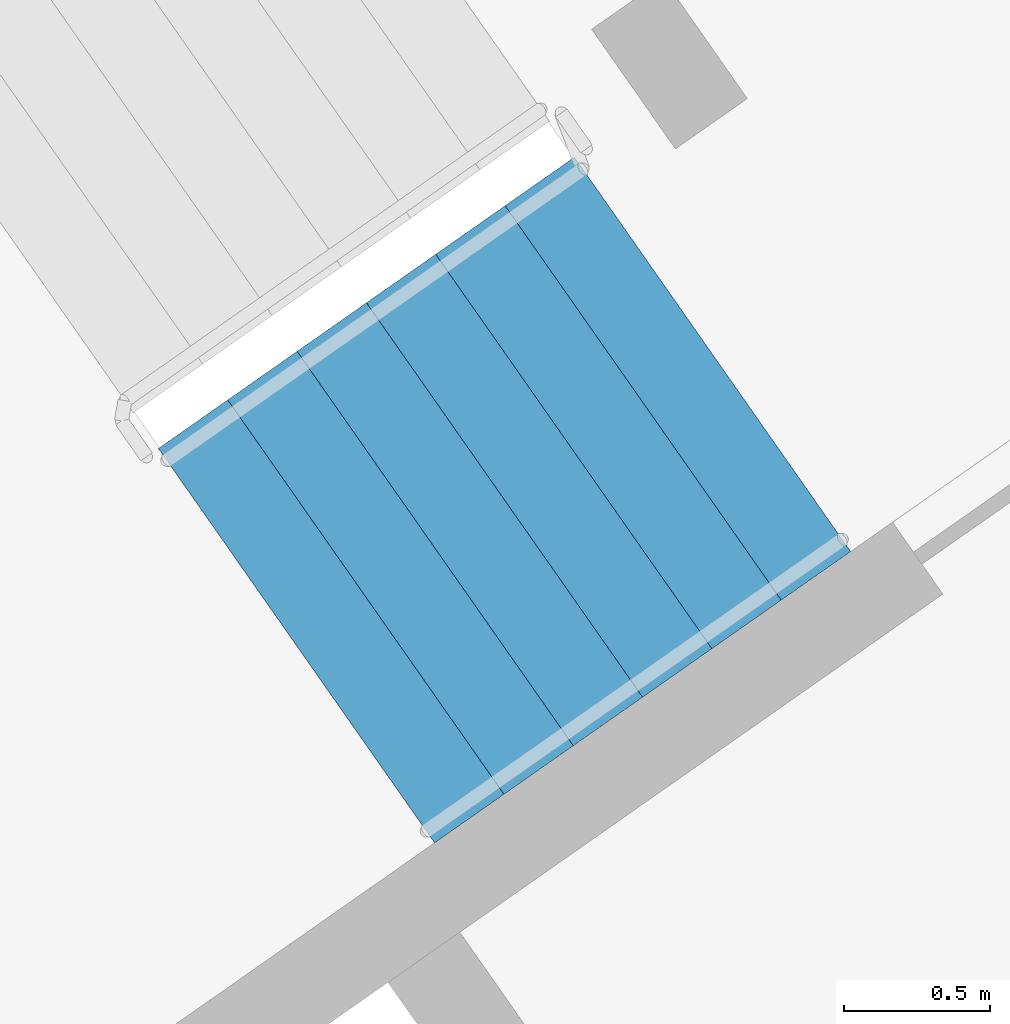
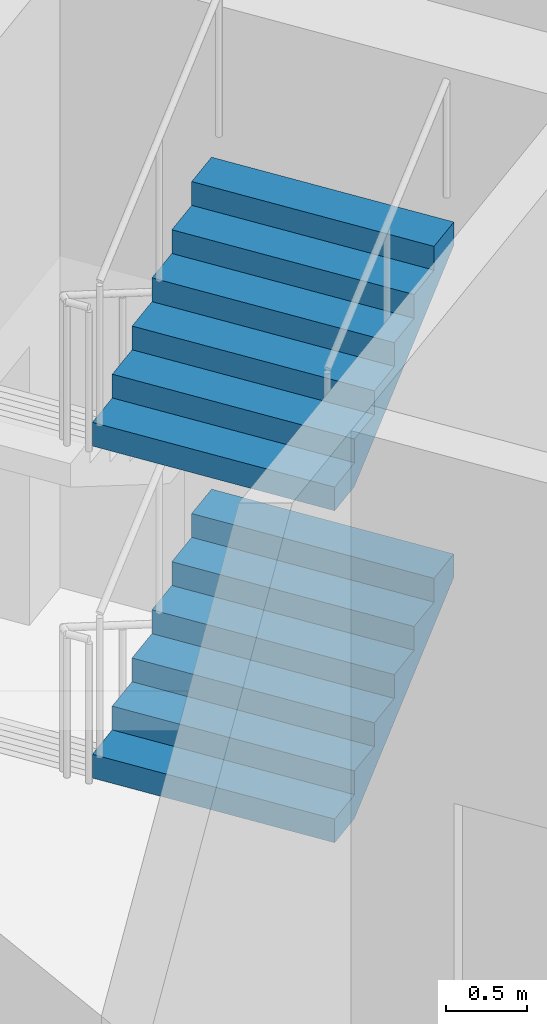
# One storey, part 17 of 24: 2 stair flights, 1 element without a shape of its own.
"""IFC4 building model written with IfcOpenShell, lengths in metres."""

from ifc_helpers import new_model, si_unit, direction, frame, origin, place, context, subcontext, project, spatial, faceted_brep, material, type_object, element, aggregate, save


model = new_model("IFC4")

# Units and contexts
model_context = context("Model", 3, precision=1e-05, world=origin(), true_north=direction((0.0, 1.0)))
body_context = subcontext(model_context, "Body", "Model", "MODEL_VIEW")
ifc_project = project(units=[si_unit("LENGTHUNIT", "METRE"), si_unit("AREAUNIT", "SQUARE_METRE"), si_unit("VOLUMEUNIT", "CUBIC_METRE"), si_unit("PLANEANGLEUNIT", "RADIAN"), si_unit("MASSUNIT", "GRAM", prefix="KILO")], contexts=[model_context])

# Site, building, storey
site_placement = place(None, origin())
site = spatial("IfcSite", under=ifc_project, at=site_placement, CompositionType="ELEMENT")
building_placement = place(site_placement, origin())
building = spatial("IfcBuilding", under=site, at=building_placement, Name="Qamariyya Broadcast Tower", CompositionType="ELEMENT")
storey_placement = place(building_placement, frame((0.0, 0.0, 253.10009765625)))
storey = spatial("IfcBuildingStorey", under=building, at=storey_placement, Name="L61", CompositionType="ELEMENT", Elevation=253.10009765625)

# Stair, stair flights
ifc_material = material(Name="Concrete C50/60", Category="concrete")
stair_type = type_object("IfcStairType", Name="Exit stair 28 risers of 179 mm", PredefinedType="HALF_TURN_STAIR", material=ifc_material)
stair_placement = place(storey_placement, origin())
stair = element("IfcStair", 1, at=stair_placement, inside=storey, type_object=stair_type, Name="L61 Stair E2", PredefinedType="HALF_TURN_STAIR")
stair_flight_type = type_object("IfcStairFlightType", Name="Exit stair flight 7 risers of 179 mm", PredefinedType="STRAIGHT", material=ifc_material)
stair_flight_1_placement = place(storey_placement, frame((40.165771484375, -50.15771484375, 1.25), z_axis=(0.0, 0.0, 1.0), x_axis=(0.819152044289, 0.573576436351, 0.0)))
stair_flight_1 = element("IfcStairFlight", 2, at=stair_flight_1_placement, type_object=stair_flight_type, Name="ST-E2 flight 2", NumberOfRisers=7, NumberOfTreads=6, PredefinedType="STRAIGHT", RiserHeight=0.178571429, TreadLength=0.29, context=body_context, shape_type="Brep", body=[
    faceted_brep([(0.0, 0.824951171875, 0.0), (0.0, 0.824951171875, 0.178466796875), (0.2900390625, 0.824951171875, 0.178466796875), (0.2900390625, 0.824951171875, 0.357177734375), (0.580078125, 0.824951171875, 0.357177734375), (0.580078125, 0.824951171875, 0.53564453125), (0.8701171875, 0.824951171875, 0.53564453125), (0.8701171875, 0.824951171875, 0.71435546875), (1.159912109375, 0.824951171875, 0.71435546875), (1.159912109375, 0.824951171875, 0.892822265625), (1.449951171875, 0.824951171875, 0.892822265625), (1.449951171875, 0.824951171875, 1.071533203125), (1.739990234375, 0.824951171875, 1.071533203125), (1.739990234375, 0.824951171875, 0.8955078125), (0.285888671875, 0.824951171875, 0.0), (0.285888671875, -0.824951171875, 0.0), (1.739990234375, -0.824951171875, 0.8955078125), (1.739990234375, -0.824951171875, 1.071533203125), (1.449951171875, -0.824951171875, 1.071533203125), (1.449951171875, -0.824951171875, 0.892822265625), (1.159912109375, -0.824951171875, 0.892822265625), (1.159912109375, -0.824951171875, 0.71435546875), (0.8701171875, -0.824951171875, 0.71435546875), (0.8701171875, -0.824951171875, 0.53564453125), (0.580078125, -0.824951171875, 0.53564453125), (0.580078125, -0.824951171875, 0.357177734375), (0.2900390625, -0.824951171875, 0.357177734375), (0.2900390625, -0.824951171875, 0.178466796875), (0.0, -0.824951171875, 0.178466796875), (0.0, -0.824951171875, 0.0), (0.0, 0.10009765625, 0.0), (0.0, 0.086669921875, 0.0), (0.0, 0.0732421875, 0.0), (0.0, 0.06005859375, 0.0), (0.0, 0.046630859375, 0.0), (0.0, 0.033447265625, 0.0), (0.0, 0.02001953125, 0.0), (0.0, 0.006591796875, 0.0), (0.0, -0.006591796875, 0.0), (0.0, -0.02001953125, 0.0), (0.0, -0.033447265625, 0.0), (0.0, -0.046630859375, 0.0), (0.0, -0.06005859375, 0.0), (0.0, -0.0732421875, 0.0), (0.0, -0.086669921875, 0.0), (0.0, -0.10009765625, 0.0), (0.0, -0.10009765625, 0.178466796875), (0.0, -0.086669921875, 0.178466796875), (0.0, -0.0732421875, 0.178466796875), (0.0, -0.06005859375, 0.178466796875), (0.0, -0.046630859375, 0.178466796875), (0.0, -0.033447265625, 0.178466796875), (0.0, -0.02001953125, 0.178466796875), (0.0, -0.006591796875, 0.178466796875), (0.0, 0.006591796875, 0.178466796875), (0.0, 0.02001953125, 0.178466796875), (0.0, 0.033447265625, 0.178466796875), (0.0, 0.046630859375, 0.178466796875), (0.0, 0.06005859375, 0.178466796875), (0.0, 0.0732421875, 0.178466796875), (0.0, 0.086669921875, 0.178466796875), (0.0, 0.10009765625, 0.178466796875), (0.2900390625, -0.10009765625, 0.178466796875), (0.2900390625, -0.086669921875, 0.178466796875), (0.2900390625, -0.0732421875, 0.178466796875), (0.2900390625, -0.06005859375, 0.178466796875), (0.2900390625, -0.046630859375, 0.178466796875), (0.2900390625, -0.033447265625, 0.178466796875), (0.2900390625, -0.02001953125, 0.178466796875), (0.2900390625, -0.006591796875, 0.178466796875), (0.2900390625, 0.006591796875, 0.178466796875), (0.2900390625, 0.02001953125, 0.178466796875), (0.2900390625, 0.033447265625, 0.178466796875), (0.2900390625, 0.046630859375, 0.178466796875), (0.2900390625, 0.06005859375, 0.178466796875), (0.2900390625, 0.0732421875, 0.178466796875), (0.2900390625, 0.086669921875, 0.178466796875), (0.2900390625, 0.10009765625, 0.178466796875), (0.2900390625, -0.10009765625, 0.357177734375), (0.2900390625, -0.086669921875, 0.357177734375), (0.2900390625, -0.0732421875, 0.357177734375), (0.2900390625, -0.06005859375, 0.357177734375), (0.2900390625, -0.046630859375, 0.357177734375), (0.2900390625, -0.033447265625, 0.357177734375), (0.2900390625, -0.02001953125, 0.357177734375), (0.2900390625, -0.006591796875, 0.357177734375), (0.2900390625, 0.006591796875, 0.357177734375), (0.2900390625, 0.02001953125, 0.357177734375), (0.2900390625, 0.033447265625, 0.357177734375), (0.2900390625, 0.046630859375, 0.357177734375), (0.2900390625, 0.06005859375, 0.357177734375), (0.2900390625, 0.0732421875, 0.357177734375), (0.2900390625, 0.086669921875, 0.357177734375), (0.2900390625, 0.10009765625, 0.357177734375), (0.580078125, -0.10009765625, 0.357177734375), (0.580078125, -0.086669921875, 0.357177734375), (0.580078125, -0.0732421875, 0.357177734375), (0.580078125, -0.06005859375, 0.357177734375), (0.580078125, -0.046630859375, 0.357177734375), (0.580078125, -0.033447265625, 0.357177734375), (0.580078125, -0.02001953125, 0.357177734375), (0.580078125, -0.006591796875, 0.357177734375), (0.580078125, 0.006591796875, 0.357177734375), (0.580078125, 0.02001953125, 0.357177734375), (0.580078125, 0.033447265625, 0.357177734375), (0.580078125, 0.046630859375, 0.357177734375), (0.580078125, 0.06005859375, 0.357177734375), (0.580078125, 0.0732421875, 0.357177734375), (0.580078125, 0.086669921875, 0.357177734375), (0.580078125, 0.10009765625, 0.357177734375), (0.580078125, -0.10009765625, 0.53564453125), (0.580078125, -0.086669921875, 0.53564453125), (0.580078125, -0.0732421875, 0.53564453125), (0.580078125, -0.06005859375, 0.53564453125), (0.580078125, -0.046630859375, 0.53564453125), (0.580078125, -0.033447265625, 0.53564453125), (0.580078125, -0.02001953125, 0.53564453125), (0.580078125, -0.006591796875, 0.53564453125), (0.580078125, 0.006591796875, 0.53564453125), (0.580078125, 0.02001953125, 0.53564453125), (0.580078125, 0.033447265625, 0.53564453125), (0.580078125, 0.046630859375, 0.53564453125), (0.580078125, 0.06005859375, 0.53564453125), (0.580078125, 0.0732421875, 0.53564453125), (0.580078125, 0.086669921875, 0.53564453125), (0.580078125, 0.10009765625, 0.53564453125), (0.8701171875, -0.10009765625, 0.53564453125), (0.8701171875, -0.086669921875, 0.53564453125), (0.8701171875, -0.0732421875, 0.53564453125), (0.8701171875, -0.06005859375, 0.53564453125), (0.8701171875, -0.046630859375, 0.53564453125), (0.8701171875, -0.033447265625, 0.53564453125), (0.8701171875, -0.02001953125, 0.53564453125), (0.8701171875, -0.006591796875, 0.53564453125), (0.8701171875, 0.006591796875, 0.53564453125), (0.8701171875, 0.02001953125, 0.53564453125), (0.8701171875, 0.033447265625, 0.53564453125), (0.8701171875, 0.046630859375, 0.53564453125), (0.8701171875, 0.06005859375, 0.53564453125), (0.8701171875, 0.0732421875, 0.53564453125), (0.8701171875, 0.086669921875, 0.53564453125), (0.8701171875, 0.10009765625, 0.53564453125), (0.8701171875, -0.10009765625, 0.71435546875), (0.8701171875, -0.086669921875, 0.71435546875), (0.8701171875, -0.0732421875, 0.71435546875), (0.8701171875, -0.06005859375, 0.71435546875), (0.8701171875, -0.046630859375, 0.71435546875), (0.8701171875, -0.033447265625, 0.71435546875), (0.8701171875, -0.02001953125, 0.71435546875), (0.8701171875, -0.006591796875, 0.71435546875), (0.8701171875, 0.006591796875, 0.71435546875), (0.8701171875, 0.02001953125, 0.71435546875), (0.8701171875, 0.033447265625, 0.71435546875), (0.8701171875, 0.046630859375, 0.71435546875), (0.8701171875, 0.06005859375, 0.71435546875), (0.8701171875, 0.0732421875, 0.71435546875), (0.8701171875, 0.086669921875, 0.71435546875), (0.8701171875, 0.10009765625, 0.71435546875), (1.159912109375, -0.10009765625, 0.71435546875), (1.159912109375, -0.086669921875, 0.71435546875), (1.159912109375, -0.0732421875, 0.71435546875), (1.159912109375, -0.06005859375, 0.71435546875), (1.159912109375, -0.046630859375, 0.71435546875), (1.159912109375, -0.033447265625, 0.71435546875), (1.159912109375, -0.02001953125, 0.71435546875), (1.159912109375, -0.006591796875, 0.71435546875), (1.159912109375, 0.006591796875, 0.71435546875), (1.159912109375, 0.02001953125, 0.71435546875), (1.159912109375, 0.033447265625, 0.71435546875), (1.159912109375, 0.046630859375, 0.71435546875), (1.159912109375, 0.06005859375, 0.71435546875), (1.159912109375, 0.0732421875, 0.71435546875), (1.159912109375, 0.086669921875, 0.71435546875), (1.159912109375, 0.10009765625, 0.71435546875), (1.159912109375, -0.10009765625, 0.892822265625), (1.159912109375, -0.086669921875, 0.892822265625), (1.159912109375, -0.0732421875, 0.892822265625), (1.159912109375, -0.06005859375, 0.892822265625), (1.159912109375, -0.046630859375, 0.892822265625), (1.159912109375, -0.033447265625, 0.892822265625), (1.159912109375, -0.02001953125, 0.892822265625), (1.159912109375, -0.006591796875, 0.892822265625), (1.159912109375, 0.006591796875, 0.892822265625), (1.159912109375, 0.02001953125, 0.892822265625), (1.159912109375, 0.033447265625, 0.892822265625), (1.159912109375, 0.046630859375, 0.892822265625), (1.159912109375, 0.06005859375, 0.892822265625), (1.159912109375, 0.0732421875, 0.892822265625), (1.159912109375, 0.086669921875, 0.892822265625), (1.159912109375, 0.10009765625, 0.892822265625), (1.449951171875, -0.10009765625, 0.892822265625), (1.449951171875, -0.086669921875, 0.892822265625), (1.449951171875, -0.0732421875, 0.892822265625), (1.449951171875, -0.06005859375, 0.892822265625), (1.449951171875, -0.046630859375, 0.892822265625), (1.449951171875, -0.033447265625, 0.892822265625), (1.449951171875, -0.02001953125, 0.892822265625), (1.449951171875, -0.006591796875, 0.892822265625), (1.449951171875, 0.006591796875, 0.892822265625), (1.449951171875, 0.02001953125, 0.892822265625), (1.449951171875, 0.033447265625, 0.892822265625), (1.449951171875, 0.046630859375, 0.892822265625), (1.449951171875, 0.06005859375, 0.892822265625), (1.449951171875, 0.0732421875, 0.892822265625), (1.449951171875, 0.086669921875, 0.892822265625), (1.449951171875, 0.10009765625, 0.892822265625), (1.449951171875, -0.10009765625, 1.071533203125), (1.449951171875, -0.086669921875, 1.071533203125), (1.449951171875, -0.0732421875, 1.071533203125), (1.449951171875, -0.06005859375, 1.071533203125), (1.449951171875, -0.046630859375, 1.071533203125), (1.449951171875, -0.033447265625, 1.071533203125), (1.449951171875, -0.02001953125, 1.071533203125), (1.449951171875, -0.006591796875, 1.071533203125), (1.449951171875, 0.006591796875, 1.071533203125), (1.449951171875, 0.02001953125, 1.071533203125), (1.449951171875, 0.033447265625, 1.071533203125), (1.449951171875, 0.046630859375, 1.071533203125), (1.449951171875, 0.06005859375, 1.071533203125), (1.449951171875, 0.0732421875, 1.071533203125), (1.449951171875, 0.086669921875, 1.071533203125), (1.449951171875, 0.10009765625, 1.071533203125), (1.739990234375, -0.10009765625, 1.071533203125), (1.739990234375, -0.086669921875, 1.071533203125), (1.739990234375, -0.0732421875, 1.071533203125), (1.739990234375, -0.06005859375, 1.071533203125), (1.739990234375, -0.046630859375, 1.071533203125), (1.739990234375, -0.033447265625, 1.071533203125), (1.739990234375, -0.02001953125, 1.071533203125), (1.739990234375, -0.006591796875, 1.071533203125), (1.739990234375, 0.006591796875, 1.071533203125), (1.739990234375, 0.02001953125, 1.071533203125), (1.739990234375, 0.033447265625, 1.071533203125), (1.739990234375, 0.046630859375, 1.071533203125), (1.739990234375, 0.06005859375, 1.071533203125), (1.739990234375, 0.0732421875, 1.071533203125), (1.739990234375, 0.086669921875, 1.071533203125), (1.739990234375, 0.10009765625, 1.071533203125), (1.739990234375, -0.10009765625, 0.8955078125), (1.739990234375, -0.086669921875, 0.8955078125), (1.739990234375, -0.0732421875, 0.8955078125), (1.739990234375, -0.06005859375, 0.8955078125), (1.739990234375, -0.046630859375, 0.8955078125), (1.739990234375, -0.033447265625, 0.8955078125), (1.739990234375, -0.02001953125, 0.8955078125), (1.739990234375, -0.006591796875, 0.8955078125), (1.739990234375, 0.006591796875, 0.8955078125), (1.739990234375, 0.02001953125, 0.8955078125), (1.739990234375, 0.033447265625, 0.8955078125), (1.739990234375, 0.046630859375, 0.8955078125), (1.739990234375, 0.06005859375, 0.8955078125), (1.739990234375, 0.0732421875, 0.8955078125), (1.739990234375, 0.086669921875, 0.8955078125), (1.739990234375, 0.10009765625, 0.8955078125), (0.285888671875, -0.10009765625, 0.0), (0.285888671875, -0.086669921875, 0.0), (0.285888671875, -0.0732421875, 0.0), (0.285888671875, -0.06005859375, 0.0), (0.285888671875, -0.046630859375, 0.0), (0.285888671875, -0.033447265625, 0.0), (0.285888671875, -0.02001953125, 0.0), (0.285888671875, -0.006591796875, 0.0), (0.285888671875, 0.006591796875, 0.0), (0.285888671875, 0.02001953125, 0.0), (0.285888671875, 0.033447265625, 0.0), (0.285888671875, 0.046630859375, 0.0), (0.285888671875, 0.06005859375, 0.0), (0.285888671875, 0.0732421875, 0.0), (0.285888671875, 0.086669921875, 0.0), (0.285888671875, 0.10009765625, 0.0)], [[[0, 1, 2, 3, 4, 5, 6, 7, 8, 9, 10, 11, 12, 13, 14]], [[15, 16, 17, 18, 19, 20, 21, 22, 23, 24, 25, 26, 27, 28, 29]], [[0, 30, 31, 32, 33, 34, 35, 36, 37, 38, 39, 40, 41, 42, 43, 44, 45, 29, 28, 46, 47, 48, 49, 50, 51, 52, 53, 54, 55, 56, 57, 58, 59, 60, 61, 1]], [[1, 61, 60, 59, 58, 57, 56, 55, 54, 53, 52, 51, 50, 49, 48, 47, 46, 28, 27, 62, 63, 64, 65, 66, 67, 68, 69, 70, 71, 72, 73, 74, 75, 76, 77, 2]], [[2, 77, 76, 75, 74, 73, 72, 71, 70, 69, 68, 67, 66, 65, 64, 63, 62, 27, 26, 78, 79, 80, 81, 82, 83, 84, 85, 86, 87, 88, 89, 90, 91, 92, 93, 3]], [[3, 93, 92, 91, 90, 89, 88, 87, 86, 85, 84, 83, 82, 81, 80, 79, 78, 26, 25, 94, 95, 96, 97, 98, 99, 100, 101, 102, 103, 104, 105, 106, 107, 108, 109, 4]], [[4, 109, 108, 107, 106, 105, 104, 103, 102, 101, 100, 99, 98, 97, 96, 95, 94, 25, 24, 110, 111, 112, 113, 114, 115, 116, 117, 118, 119, 120, 121, 122, 123, 124, 125, 5]], [[5, 125, 124, 123, 122, 121, 120, 119, 118, 117, 116, 115, 114, 113, 112, 111, 110, 24, 23, 126, 127, 128, 129, 130, 131, 132, 133, 134, 135, 136, 137, 138, 139, 140, 141, 6]], [[6, 141, 140, 139, 138, 137, 136, 135, 134, 133, 132, 131, 130, 129, 128, 127, 126, 23, 22, 142, 143, 144, 145, 146, 147, 148, 149, 150, 151, 152, 153, 154, 155, 156, 157, 7]], [[7, 157, 156, 155, 154, 153, 152, 151, 150, 149, 148, 147, 146, 145, 144, 143, 142, 22, 21, 158, 159, 160, 161, 162, 163, 164, 165, 166, 167, 168, 169, 170, 171, 172, 173, 8]], [[8, 173, 172, 171, 170, 169, 168, 167, 166, 165, 164, 163, 162, 161, 160, 159, 158, 21, 20, 174, 175, 176, 177, 178, 179, 180, 181, 182, 183, 184, 185, 186, 187, 188, 189, 9]], [[9, 189, 188, 187, 186, 185, 184, 183, 182, 181, 180, 179, 178, 177, 176, 175, 174, 20, 19, 190, 191, 192, 193, 194, 195, 196, 197, 198, 199, 200, 201, 202, 203, 204, 205, 10]], [[10, 205, 204, 203, 202, 201, 200, 199, 198, 197, 196, 195, 194, 193, 192, 191, 190, 19, 18, 206, 207, 208, 209, 210, 211, 212, 213, 214, 215, 216, 217, 218, 219, 220, 221, 11]], [[11, 221, 220, 219, 218, 217, 216, 215, 214, 213, 212, 211, 210, 209, 208, 207, 206, 18, 17, 222, 223, 224, 225, 226, 227, 228, 229, 230, 231, 232, 233, 234, 235, 236, 237, 12]], [[12, 237, 236, 235, 234, 233, 232, 231, 230, 229, 228, 227, 226, 225, 224, 223, 222, 17, 16, 238, 239, 240, 241, 242, 243, 244, 245, 246, 247, 248, 249, 250, 251, 252, 253, 13]], [[13, 253, 252, 251, 250, 249, 248, 247, 246, 245, 244, 243, 242, 241, 240, 239, 238, 16, 15, 254, 255, 256, 257, 258, 259, 260, 261, 262, 263, 264, 265, 266, 267, 268, 269, 14]], [[14, 269, 268, 267, 266, 265, 264, 263, 262, 261, 260, 259, 258, 257, 256, 255, 254, 15, 29, 45, 44, 43, 42, 41, 40, 39, 38, 37, 36, 35, 34, 33, 32, 31, 30, 0]]]),
])
stair_flight_2_placement = place(storey_placement, frame((40.165771484375, -50.15771484375, 3.75), z_axis=(0.0, 0.0, 1.0), x_axis=(0.819152044289, 0.573576436351, 0.0)))
stair_flight_2 = element("IfcStairFlight", 3, at=stair_flight_2_placement, type_object=stair_flight_type, Name="ST-E2 flight 4", NumberOfRisers=7, NumberOfTreads=6, PredefinedType="STRAIGHT", RiserHeight=0.178571429, TreadLength=0.29, context=body_context, shape_type="Brep", body=[
    faceted_brep([(0.0, 0.824951171875, 0.0), (0.0, 0.824951171875, 0.178466796875), (0.2900390625, 0.824951171875, 0.178466796875), (0.2900390625, 0.824951171875, 0.357177734375), (0.580078125, 0.824951171875, 0.357177734375), (0.580078125, 0.824951171875, 0.53564453125), (0.8701171875, 0.824951171875, 0.53564453125), (0.8701171875, 0.824951171875, 0.71435546875), (1.159912109375, 0.824951171875, 0.71435546875), (1.159912109375, 0.824951171875, 0.892822265625), (1.449951171875, 0.824951171875, 0.892822265625), (1.449951171875, 0.824951171875, 1.071533203125), (1.739990234375, 0.824951171875, 1.071533203125), (1.739990234375, 0.824951171875, 0.8955078125), (0.285888671875, 0.824951171875, 0.0), (0.285888671875, -0.824951171875, 0.0), (1.739990234375, -0.824951171875, 0.8955078125), (1.739990234375, -0.824951171875, 1.071533203125), (1.449951171875, -0.824951171875, 1.071533203125), (1.449951171875, -0.824951171875, 0.892822265625), (1.159912109375, -0.824951171875, 0.892822265625), (1.159912109375, -0.824951171875, 0.71435546875), (0.8701171875, -0.824951171875, 0.71435546875), (0.8701171875, -0.824951171875, 0.53564453125), (0.580078125, -0.824951171875, 0.53564453125), (0.580078125, -0.824951171875, 0.357177734375), (0.2900390625, -0.824951171875, 0.357177734375), (0.2900390625, -0.824951171875, 0.178466796875), (0.0, -0.824951171875, 0.178466796875), (0.0, -0.824951171875, 0.0), (0.0, 0.10009765625, 0.0), (0.0, 0.086669921875, 0.0), (0.0, 0.0732421875, 0.0), (0.0, 0.06005859375, 0.0), (0.0, 0.046630859375, 0.0), (0.0, 0.033447265625, 0.0), (0.0, 0.02001953125, 0.0), (0.0, 0.006591796875, 0.0), (0.0, -0.006591796875, 0.0), (0.0, -0.02001953125, 0.0), (0.0, -0.033447265625, 0.0), (0.0, -0.046630859375, 0.0), (0.0, -0.06005859375, 0.0), (0.0, -0.0732421875, 0.0), (0.0, -0.086669921875, 0.0), (0.0, -0.10009765625, 0.0), (0.0, -0.10009765625, 0.178466796875), (0.0, -0.086669921875, 0.178466796875), (0.0, -0.0732421875, 0.178466796875), (0.0, -0.06005859375, 0.178466796875), (0.0, -0.046630859375, 0.178466796875), (0.0, -0.033447265625, 0.178466796875), (0.0, -0.02001953125, 0.178466796875), (0.0, -0.006591796875, 0.178466796875), (0.0, 0.006591796875, 0.178466796875), (0.0, 0.02001953125, 0.178466796875), (0.0, 0.033447265625, 0.178466796875), (0.0, 0.046630859375, 0.178466796875), (0.0, 0.06005859375, 0.178466796875), (0.0, 0.0732421875, 0.178466796875), (0.0, 0.086669921875, 0.178466796875), (0.0, 0.10009765625, 0.178466796875), (0.2900390625, -0.10009765625, 0.178466796875), (0.2900390625, -0.086669921875, 0.178466796875), (0.2900390625, -0.0732421875, 0.178466796875), (0.2900390625, -0.06005859375, 0.178466796875), (0.2900390625, -0.046630859375, 0.178466796875), (0.2900390625, -0.033447265625, 0.178466796875), (0.2900390625, -0.02001953125, 0.178466796875), (0.2900390625, -0.006591796875, 0.178466796875), (0.2900390625, 0.006591796875, 0.178466796875), (0.2900390625, 0.02001953125, 0.178466796875), (0.2900390625, 0.033447265625, 0.178466796875), (0.2900390625, 0.046630859375, 0.178466796875), (0.2900390625, 0.06005859375, 0.178466796875), (0.2900390625, 0.0732421875, 0.178466796875), (0.2900390625, 0.086669921875, 0.178466796875), (0.2900390625, 0.10009765625, 0.178466796875), (0.2900390625, -0.10009765625, 0.357177734375), (0.2900390625, -0.086669921875, 0.357177734375), (0.2900390625, -0.0732421875, 0.357177734375), (0.2900390625, -0.06005859375, 0.357177734375), (0.2900390625, -0.046630859375, 0.357177734375), (0.2900390625, -0.033447265625, 0.357177734375), (0.2900390625, -0.02001953125, 0.357177734375), (0.2900390625, -0.006591796875, 0.357177734375), (0.2900390625, 0.006591796875, 0.357177734375), (0.2900390625, 0.02001953125, 0.357177734375), (0.2900390625, 0.033447265625, 0.357177734375), (0.2900390625, 0.046630859375, 0.357177734375), (0.2900390625, 0.06005859375, 0.357177734375), (0.2900390625, 0.0732421875, 0.357177734375), (0.2900390625, 0.086669921875, 0.357177734375), (0.2900390625, 0.10009765625, 0.357177734375), (0.580078125, -0.10009765625, 0.357177734375), (0.580078125, -0.086669921875, 0.357177734375), (0.580078125, -0.0732421875, 0.357177734375), (0.580078125, -0.06005859375, 0.357177734375), (0.580078125, -0.046630859375, 0.357177734375), (0.580078125, -0.033447265625, 0.357177734375), (0.580078125, -0.02001953125, 0.357177734375), (0.580078125, -0.006591796875, 0.357177734375), (0.580078125, 0.006591796875, 0.357177734375), (0.580078125, 0.02001953125, 0.357177734375), (0.580078125, 0.033447265625, 0.357177734375), (0.580078125, 0.046630859375, 0.357177734375), (0.580078125, 0.06005859375, 0.357177734375), (0.580078125, 0.0732421875, 0.357177734375), (0.580078125, 0.086669921875, 0.357177734375), (0.580078125, 0.10009765625, 0.357177734375), (0.580078125, -0.10009765625, 0.53564453125), (0.580078125, -0.086669921875, 0.53564453125), (0.580078125, -0.0732421875, 0.53564453125), (0.580078125, -0.06005859375, 0.53564453125), (0.580078125, -0.046630859375, 0.53564453125), (0.580078125, -0.033447265625, 0.53564453125), (0.580078125, -0.02001953125, 0.53564453125), (0.580078125, -0.006591796875, 0.53564453125), (0.580078125, 0.006591796875, 0.53564453125), (0.580078125, 0.02001953125, 0.53564453125), (0.580078125, 0.033447265625, 0.53564453125), (0.580078125, 0.046630859375, 0.53564453125), (0.580078125, 0.06005859375, 0.53564453125), (0.580078125, 0.0732421875, 0.53564453125), (0.580078125, 0.086669921875, 0.53564453125), (0.580078125, 0.10009765625, 0.53564453125), (0.8701171875, -0.10009765625, 0.53564453125), (0.8701171875, -0.086669921875, 0.53564453125), (0.8701171875, -0.0732421875, 0.53564453125), (0.8701171875, -0.06005859375, 0.53564453125), (0.8701171875, -0.046630859375, 0.53564453125), (0.8701171875, -0.033447265625, 0.53564453125), (0.8701171875, -0.02001953125, 0.53564453125), (0.8701171875, -0.006591796875, 0.53564453125), (0.8701171875, 0.006591796875, 0.53564453125), (0.8701171875, 0.02001953125, 0.53564453125), (0.8701171875, 0.033447265625, 0.53564453125), (0.8701171875, 0.046630859375, 0.53564453125), (0.8701171875, 0.06005859375, 0.53564453125), (0.8701171875, 0.0732421875, 0.53564453125), (0.8701171875, 0.086669921875, 0.53564453125), (0.8701171875, 0.10009765625, 0.53564453125), (0.8701171875, -0.10009765625, 0.71435546875), (0.8701171875, -0.086669921875, 0.71435546875), (0.8701171875, -0.0732421875, 0.71435546875), (0.8701171875, -0.06005859375, 0.71435546875), (0.8701171875, -0.046630859375, 0.71435546875), (0.8701171875, -0.033447265625, 0.71435546875), (0.8701171875, -0.02001953125, 0.71435546875), (0.8701171875, -0.006591796875, 0.71435546875), (0.8701171875, 0.006591796875, 0.71435546875), (0.8701171875, 0.02001953125, 0.71435546875), (0.8701171875, 0.033447265625, 0.71435546875), (0.8701171875, 0.046630859375, 0.71435546875), (0.8701171875, 0.06005859375, 0.71435546875), (0.8701171875, 0.0732421875, 0.71435546875), (0.8701171875, 0.086669921875, 0.71435546875), (0.8701171875, 0.10009765625, 0.71435546875), (1.159912109375, -0.10009765625, 0.71435546875), (1.159912109375, -0.086669921875, 0.71435546875), (1.159912109375, -0.0732421875, 0.71435546875), (1.159912109375, -0.06005859375, 0.71435546875), (1.159912109375, -0.046630859375, 0.71435546875), (1.159912109375, -0.033447265625, 0.71435546875), (1.159912109375, -0.02001953125, 0.71435546875), (1.159912109375, -0.006591796875, 0.71435546875), (1.159912109375, 0.006591796875, 0.71435546875), (1.159912109375, 0.02001953125, 0.71435546875), (1.159912109375, 0.033447265625, 0.71435546875), (1.159912109375, 0.046630859375, 0.71435546875), (1.159912109375, 0.06005859375, 0.71435546875), (1.159912109375, 0.0732421875, 0.71435546875), (1.159912109375, 0.086669921875, 0.71435546875), (1.159912109375, 0.10009765625, 0.71435546875), (1.159912109375, -0.10009765625, 0.892822265625), (1.159912109375, -0.086669921875, 0.892822265625), (1.159912109375, -0.0732421875, 0.892822265625), (1.159912109375, -0.06005859375, 0.892822265625), (1.159912109375, -0.046630859375, 0.892822265625), (1.159912109375, -0.033447265625, 0.892822265625), (1.159912109375, -0.02001953125, 0.892822265625), (1.159912109375, -0.006591796875, 0.892822265625), (1.159912109375, 0.006591796875, 0.892822265625), (1.159912109375, 0.02001953125, 0.892822265625), (1.159912109375, 0.033447265625, 0.892822265625), (1.159912109375, 0.046630859375, 0.892822265625), (1.159912109375, 0.06005859375, 0.892822265625), (1.159912109375, 0.0732421875, 0.892822265625), (1.159912109375, 0.086669921875, 0.892822265625), (1.159912109375, 0.10009765625, 0.892822265625), (1.449951171875, -0.10009765625, 0.892822265625), (1.449951171875, -0.086669921875, 0.892822265625), (1.449951171875, -0.0732421875, 0.892822265625), (1.449951171875, -0.06005859375, 0.892822265625), (1.449951171875, -0.046630859375, 0.892822265625), (1.449951171875, -0.033447265625, 0.892822265625), (1.449951171875, -0.02001953125, 0.892822265625), (1.449951171875, -0.006591796875, 0.892822265625), (1.449951171875, 0.006591796875, 0.892822265625), (1.449951171875, 0.02001953125, 0.892822265625), (1.449951171875, 0.033447265625, 0.892822265625), (1.449951171875, 0.046630859375, 0.892822265625), (1.449951171875, 0.06005859375, 0.892822265625), (1.449951171875, 0.0732421875, 0.892822265625), (1.449951171875, 0.086669921875, 0.892822265625), (1.449951171875, 0.10009765625, 0.892822265625), (1.449951171875, -0.10009765625, 1.071533203125), (1.449951171875, -0.086669921875, 1.071533203125), (1.449951171875, -0.0732421875, 1.071533203125), (1.449951171875, -0.06005859375, 1.071533203125), (1.449951171875, -0.046630859375, 1.071533203125), (1.449951171875, -0.033447265625, 1.071533203125), (1.449951171875, -0.02001953125, 1.071533203125), (1.449951171875, -0.006591796875, 1.071533203125), (1.449951171875, 0.006591796875, 1.071533203125), (1.449951171875, 0.02001953125, 1.071533203125), (1.449951171875, 0.033447265625, 1.071533203125), (1.449951171875, 0.046630859375, 1.071533203125), (1.449951171875, 0.06005859375, 1.071533203125), (1.449951171875, 0.0732421875, 1.071533203125), (1.449951171875, 0.086669921875, 1.071533203125), (1.449951171875, 0.10009765625, 1.071533203125), (1.739990234375, -0.10009765625, 1.071533203125), (1.739990234375, -0.086669921875, 1.071533203125), (1.739990234375, -0.0732421875, 1.071533203125), (1.739990234375, -0.06005859375, 1.071533203125), (1.739990234375, -0.046630859375, 1.071533203125), (1.739990234375, -0.033447265625, 1.071533203125), (1.739990234375, -0.02001953125, 1.071533203125), (1.739990234375, -0.006591796875, 1.071533203125), (1.739990234375, 0.006591796875, 1.071533203125), (1.739990234375, 0.02001953125, 1.071533203125), (1.739990234375, 0.033447265625, 1.071533203125), (1.739990234375, 0.046630859375, 1.071533203125), (1.739990234375, 0.06005859375, 1.071533203125), (1.739990234375, 0.0732421875, 1.071533203125), (1.739990234375, 0.086669921875, 1.071533203125), (1.739990234375, 0.10009765625, 1.071533203125), (1.739990234375, -0.10009765625, 0.8955078125), (1.739990234375, -0.086669921875, 0.8955078125), (1.739990234375, -0.0732421875, 0.8955078125), (1.739990234375, -0.06005859375, 0.8955078125), (1.739990234375, -0.046630859375, 0.8955078125), (1.739990234375, -0.033447265625, 0.8955078125), (1.739990234375, -0.02001953125, 0.8955078125), (1.739990234375, -0.006591796875, 0.8955078125), (1.739990234375, 0.006591796875, 0.8955078125), (1.739990234375, 0.02001953125, 0.8955078125), (1.739990234375, 0.033447265625, 0.8955078125), (1.739990234375, 0.046630859375, 0.8955078125), (1.739990234375, 0.06005859375, 0.8955078125), (1.739990234375, 0.0732421875, 0.8955078125), (1.739990234375, 0.086669921875, 0.8955078125), (1.739990234375, 0.10009765625, 0.8955078125), (0.285888671875, -0.10009765625, 0.0), (0.285888671875, -0.086669921875, 0.0), (0.285888671875, -0.0732421875, 0.0), (0.285888671875, -0.06005859375, 0.0), (0.285888671875, -0.046630859375, 0.0), (0.285888671875, -0.033447265625, 0.0), (0.285888671875, -0.02001953125, 0.0), (0.285888671875, -0.006591796875, 0.0), (0.285888671875, 0.006591796875, 0.0), (0.285888671875, 0.02001953125, 0.0), (0.285888671875, 0.033447265625, 0.0), (0.285888671875, 0.046630859375, 0.0), (0.285888671875, 0.06005859375, 0.0), (0.285888671875, 0.0732421875, 0.0), (0.285888671875, 0.086669921875, 0.0), (0.285888671875, 0.10009765625, 0.0)], [[[0, 1, 2, 3, 4, 5, 6, 7, 8, 9, 10, 11, 12, 13, 14]], [[15, 16, 17, 18, 19, 20, 21, 22, 23, 24, 25, 26, 27, 28, 29]], [[0, 30, 31, 32, 33, 34, 35, 36, 37, 38, 39, 40, 41, 42, 43, 44, 45, 29, 28, 46, 47, 48, 49, 50, 51, 52, 53, 54, 55, 56, 57, 58, 59, 60, 61, 1]], [[1, 61, 60, 59, 58, 57, 56, 55, 54, 53, 52, 51, 50, 49, 48, 47, 46, 28, 27, 62, 63, 64, 65, 66, 67, 68, 69, 70, 71, 72, 73, 74, 75, 76, 77, 2]], [[2, 77, 76, 75, 74, 73, 72, 71, 70, 69, 68, 67, 66, 65, 64, 63, 62, 27, 26, 78, 79, 80, 81, 82, 83, 84, 85, 86, 87, 88, 89, 90, 91, 92, 93, 3]], [[3, 93, 92, 91, 90, 89, 88, 87, 86, 85, 84, 83, 82, 81, 80, 79, 78, 26, 25, 94, 95, 96, 97, 98, 99, 100, 101, 102, 103, 104, 105, 106, 107, 108, 109, 4]], [[4, 109, 108, 107, 106, 105, 104, 103, 102, 101, 100, 99, 98, 97, 96, 95, 94, 25, 24, 110, 111, 112, 113, 114, 115, 116, 117, 118, 119, 120, 121, 122, 123, 124, 125, 5]], [[5, 125, 124, 123, 122, 121, 120, 119, 118, 117, 116, 115, 114, 113, 112, 111, 110, 24, 23, 126, 127, 128, 129, 130, 131, 132, 133, 134, 135, 136, 137, 138, 139, 140, 141, 6]], [[6, 141, 140, 139, 138, 137, 136, 135, 134, 133, 132, 131, 130, 129, 128, 127, 126, 23, 22, 142, 143, 144, 145, 146, 147, 148, 149, 150, 151, 152, 153, 154, 155, 156, 157, 7]], [[7, 157, 156, 155, 154, 153, 152, 151, 150, 149, 148, 147, 146, 145, 144, 143, 142, 22, 21, 158, 159, 160, 161, 162, 163, 164, 165, 166, 167, 168, 169, 170, 171, 172, 173, 8]], [[8, 173, 172, 171, 170, 169, 168, 167, 166, 165, 164, 163, 162, 161, 160, 159, 158, 21, 20, 174, 175, 176, 177, 178, 179, 180, 181, 182, 183, 184, 185, 186, 187, 188, 189, 9]], [[9, 189, 188, 187, 186, 185, 184, 183, 182, 181, 180, 179, 178, 177, 176, 175, 174, 20, 19, 190, 191, 192, 193, 194, 195, 196, 197, 198, 199, 200, 201, 202, 203, 204, 205, 10]], [[10, 205, 204, 203, 202, 201, 200, 199, 198, 197, 196, 195, 194, 193, 192, 191, 190, 19, 18, 206, 207, 208, 209, 210, 211, 212, 213, 214, 215, 216, 217, 218, 219, 220, 221, 11]], [[11, 221, 220, 219, 218, 217, 216, 215, 214, 213, 212, 211, 210, 209, 208, 207, 206, 18, 17, 222, 223, 224, 225, 226, 227, 228, 229, 230, 231, 232, 233, 234, 235, 236, 237, 12]], [[12, 237, 236, 235, 234, 233, 232, 231, 230, 229, 228, 227, 226, 225, 224, 223, 222, 17, 16, 238, 239, 240, 241, 242, 243, 244, 245, 246, 247, 248, 249, 250, 251, 252, 253, 13]], [[13, 253, 252, 251, 250, 249, 248, 247, 246, 245, 244, 243, 242, 241, 240, 239, 238, 16, 15, 254, 255, 256, 257, 258, 259, 260, 261, 262, 263, 264, 265, 266, 267, 268, 269, 14]], [[14, 269, 268, 267, 266, 265, 264, 263, 262, 261, 260, 259, 258, 257, 256, 255, 254, 15, 29, 45, 44, 43, 42, 41, 40, 39, 38, 37, 36, 35, 34, 33, 32, 31, 30, 0]]]),
])
aggregate(stair, [stair_flight_1, stair_flight_2])

save(model, "model.ifc")
